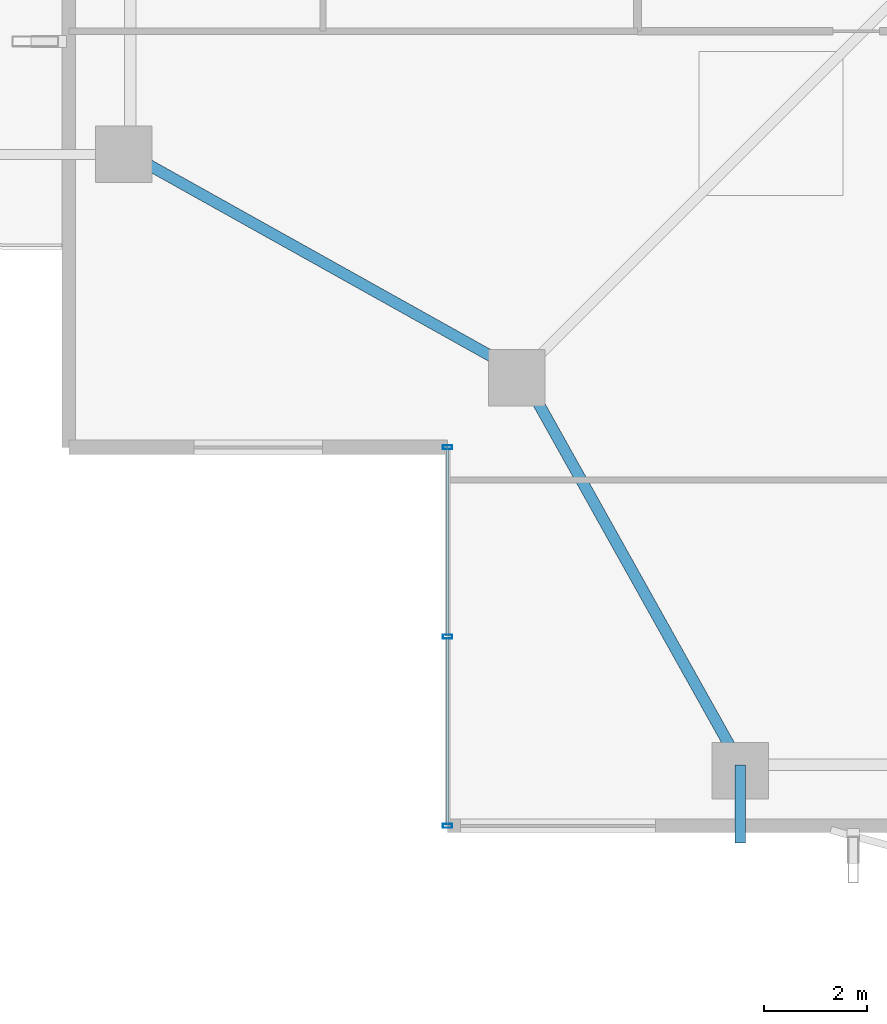
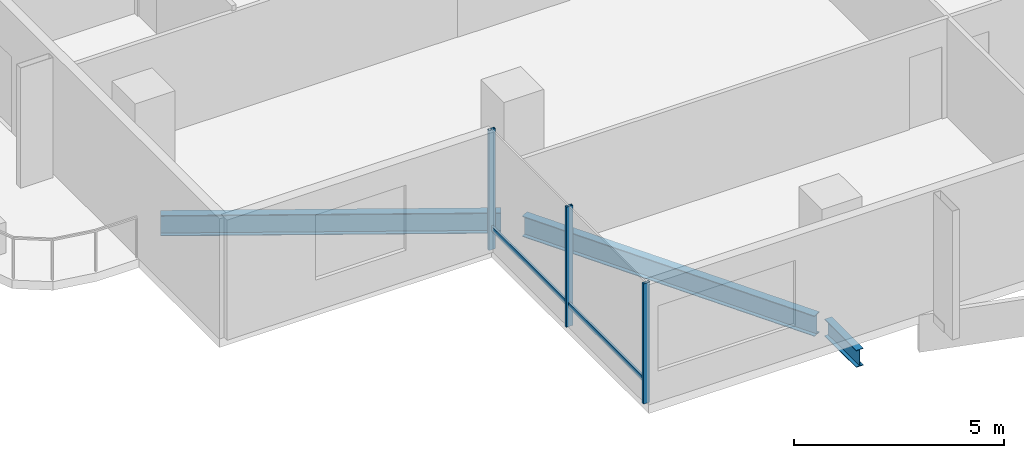
# One storey, part 2 of 29: 5 members, 3 beams, 1 element without a shape of its own.
"""IFC4 building model written with IfcOpenShell, lengths in metres."""

from ifc_helpers import new_model, si_unit, direction, frame, origin, origin_2d, place, context, subcontext, project, spatial, hollow_rectangle, i_section, extrude, material, layer, layer_set, material_profile, profile_set, type_object, element, aggregate, save


model = new_model("IFC4")

# Units and contexts
model_context = context("Model", 3, precision=1e-05, world=origin(), true_north=direction((0.0, 1.0)))
body_context = subcontext(model_context, "Body", "Model", "MODEL_VIEW")
ifc_project = project(units=[si_unit("LENGTHUNIT", "METRE"), si_unit("AREAUNIT", "SQUARE_METRE"), si_unit("VOLUMEUNIT", "CUBIC_METRE"), si_unit("PLANEANGLEUNIT", "RADIAN"), si_unit("MASSUNIT", "GRAM", prefix="KILO")], contexts=[model_context])

# Site, building, storey
site_placement = place(None, origin())
site = spatial("IfcSite", under=ifc_project, at=site_placement, CompositionType="ELEMENT")
building_placement = place(site_placement, origin())
building = spatial("IfcBuilding", under=site, at=building_placement, Name="Belovzor Exchange Tower", CompositionType="ELEMENT")
storey_placement = place(building_placement, frame((0.0, 0.0, 199.949951171875)))
storey = spatial("IfcBuildingStorey", under=building, at=storey_placement, Name="L49", CompositionType="ELEMENT", Elevation=199.949951171875)

# Beam
ifc_material_1 = material(Name="Steel S355", Category="steel")
ifc_material_profile_1 = material_profile(ifc_material_1, i_section(OverallWidth=0.199951171875, OverallDepth=0.5, WebThickness=0.01025390625, FlangeThickness=0.01611328125, at=origin_2d()))
ifc_profile_set_1 = profile_set([ifc_material_profile_1], Name="Steel S355")
beam_type_1 = type_object("IfcBeamType", Name="Planted Balcony Cantilever Beam IPE 500", PredefinedType="BEAM", material=ifc_profile_set_1)
beam_placement = place(storey_placement, frame((15.0, 3.111083984375, -0.5), z_axis=(0.0, -1.0, 0.0), x_axis=(1.0, 0.0, 0.0)))
element("IfcBeam", 1, at=beam_placement, inside=storey, type_object=beam_type_1, Name="BC-500 Planted Balcony Cantilever Beam IPE 500", PredefinedType="BEAM", context=body_context, shape_type="SweptSolid", body=[
    extrude(i_section(OverallWidth=0.199951171875, OverallDepth=0.5, WebThickness=0.01025390625, FlangeThickness=0.01611328125, at=origin_2d()), origin(), (0.0, 0.0, 1.0), 1.510986328125),
])

# Curtain wall, members
ifc_material_2 = material(Name="Anodised Aluminium Framing", Category="aluminium")
ifc_layer = layer(ifc_material_2, 0.195068359375)
ifc_layer_set = layer_set([ifc_layer], Name="Anodised Aluminium Framing")
curtain_wall_type = type_object("IfcCurtainWallType", Name="Notched Re-Entrant Corner Unitised Curtain Wall", PredefinedType="NOTDEFINED", material=ifc_layer_set)
curtain_wall_placement = place(storey_placement, origin())
curtain_wall = element("IfcCurtainWall", 2, at=curtain_wall_placement, inside=storey, type_object=curtain_wall_type, Name="CW5 Notched Re-Entrant Corner Unitised Curtain Wall L49", PredefinedType="NOTDEFINED")
ifc_material_3 = material(Name="Steel S355", Category="steel")
ifc_material_profile_2 = material_profile(ifc_material_3, hollow_rectangle(XDim=0.074951171875, YDim=0.179931640625, WallThickness=0.0048828125, at=origin_2d()))
ifc_profile_set_2 = profile_set([ifc_material_profile_2], Name="Steel S355")
member_type_1 = type_object("IfcMemberType", Name="Thermally Broken Curtain Wall Mullion 180x75", PredefinedType="MULLION", material=ifc_profile_set_2)
member_1_placement = place(storey_placement, frame((9.300048828125, 1.929931640625, 0.0), z_axis=(0.0, 0.0, 1.0), x_axis=(0.0, 1.0, 0.0)))
member_1 = element("IfcMember", 3, at=member_1_placement, type_object=member_type_1, Name="CW-M180 Curtain Wall Mullion 1", PredefinedType="MULLION", context=body_context, shape_type="SweptSolid", body=[
    extrude(hollow_rectangle(XDim=0.074951171875, YDim=0.179931640625, WallThickness=0.0048828125, at=origin_2d()), origin(), (0.0, 0.0, 1.0), 3.5),
])
member_2_placement = place(storey_placement, frame((9.300048828125, 5.614990234375, 0.0), z_axis=(0.0, 0.0, 1.0), x_axis=(0.0, 1.0, 0.0)))
member_2 = element("IfcMember", 4, at=member_2_placement, type_object=member_type_1, Name="CW-M180 Curtain Wall Mullion 2", PredefinedType="MULLION", context=body_context, shape_type="SweptSolid", body=[
    extrude(hollow_rectangle(XDim=0.074951171875, YDim=0.179931640625, WallThickness=0.0048828125, at=origin_2d()), origin(), (0.0, 0.0, 1.0), 3.5),
])
member_3_placement = place(storey_placement, frame((9.300048828125, 9.300048828125, 0.0), z_axis=(0.0, 0.0, 1.0), x_axis=(0.0, 1.0, 0.0)))
member_3 = element("IfcMember", 5, at=member_3_placement, type_object=member_type_1, Name="CW-M180 Curtain Wall Mullion 3", PredefinedType="MULLION", context=body_context, shape_type="SweptSolid", body=[
    extrude(hollow_rectangle(XDim=0.074951171875, YDim=0.179931640625, WallThickness=0.0048828125, at=origin_2d()), origin(), (0.0, 0.0, 1.0), 3.5),
])
ifc_material_4 = material(Name="Steel S355", Category="steel")
ifc_material_profile_3 = material_profile(ifc_material_4, hollow_rectangle(XDim=0.06005859375, YDim=0.14990234375, WallThickness=0.00390625, at=origin_2d()))
ifc_profile_set_3 = profile_set([ifc_material_profile_3], Name="Steel S355")
member_type_2 = type_object("IfcMemberType", Name="Thermally Broken Curtain Wall Transom 150x60", PredefinedType="USERDEFINED", material=ifc_profile_set_3)
member_4_placement = place(storey_placement, frame((9.300048828125, 1.93798828125, 0.630126953125), z_axis=(0.0, 1.0, 0.0), x_axis=(-1.0, 0.0, 0.0)))
member_4 = element("IfcMember", 6, at=member_4_placement, type_object=member_type_2, Name="CW-T150 Curtain Wall Transom 1", ObjectType="TRANSOM", PredefinedType="USERDEFINED", context=body_context, shape_type="SweptSolid", body=[
    extrude(hollow_rectangle(XDim=0.06005859375, YDim=0.14990234375, WallThickness=0.00390625, at=origin_2d()), origin(), (0.0, 0.0, 1.0), 3.6689453125),
])
member_5_placement = place(storey_placement, frame((9.300048828125, 5.623046875, 0.630126953125), z_axis=(0.0, 1.0, 0.0), x_axis=(-1.0, 0.0, 0.0)))
member_5 = element("IfcMember", 7, at=member_5_placement, type_object=member_type_2, Name="CW-T150 Curtain Wall Transom 2", ObjectType="TRANSOM", PredefinedType="USERDEFINED", context=body_context, shape_type="SweptSolid", body=[
    extrude(hollow_rectangle(XDim=0.06005859375, YDim=0.14990234375, WallThickness=0.00390625, at=origin_2d()), origin(), (0.0, 0.0, 1.0), 3.6689453125),
])
aggregate(curtain_wall, [member_1, member_2, member_3, member_4, member_5])

# Beams
ifc_material_5 = material(Name="Steel S355", Category="steel")
ifc_material_profile_4 = material_profile(ifc_material_5, i_section(OverallWidth=0.219970703125, OverallDepth=0.60009765625, WebThickness=0.011962890625, FlangeThickness=0.01904296875, at=origin_2d()))
ifc_profile_set_4 = profile_set([ifc_material_profile_4], Name="Steel S355")
beam_type_2 = type_object("IfcBeamType", Name="Zone 4 Flare Primary Girder IPE 600", PredefinedType="BEAM", material=ifc_profile_set_4)
for number, where, z_axis, x_axis, name in (
    (8, (10.889892578125, 10.47802734375, -0.550048828125), (0.487723688606, -0.872998054736, 0.0), (0.872998054736, 0.487723688606, 0.0), "FG-Z4 Zone 4 Flare Primary Girder IPE 600"),
    (9, (3.385986328125, 14.85205078125, -0.550048828125), (0.872998054736, -0.487723688606, 0.0), (0.487723688606, 0.872998054736, 0.0), "FG-Z4 Zone 4 Flare Primary Girder IPE 600"),
):
    element("IfcBeam", number, at=place(storey_placement, frame(where, z_axis=z_axis, x_axis=x_axis)), inside=storey, type_object=beam_type_2, Name=name, PredefinedType="BEAM", context=body_context, shape_type="SweptSolid", body=[
        extrude(i_section(OverallWidth=0.219970703125, OverallDepth=0.60009765625, WebThickness=0.011962890625, FlangeThickness=0.01904296875, at=origin_2d()), origin(), (0.0, 0.0, 1.0), 8.123779296875),
    ])

save(model, "model.ifc")
